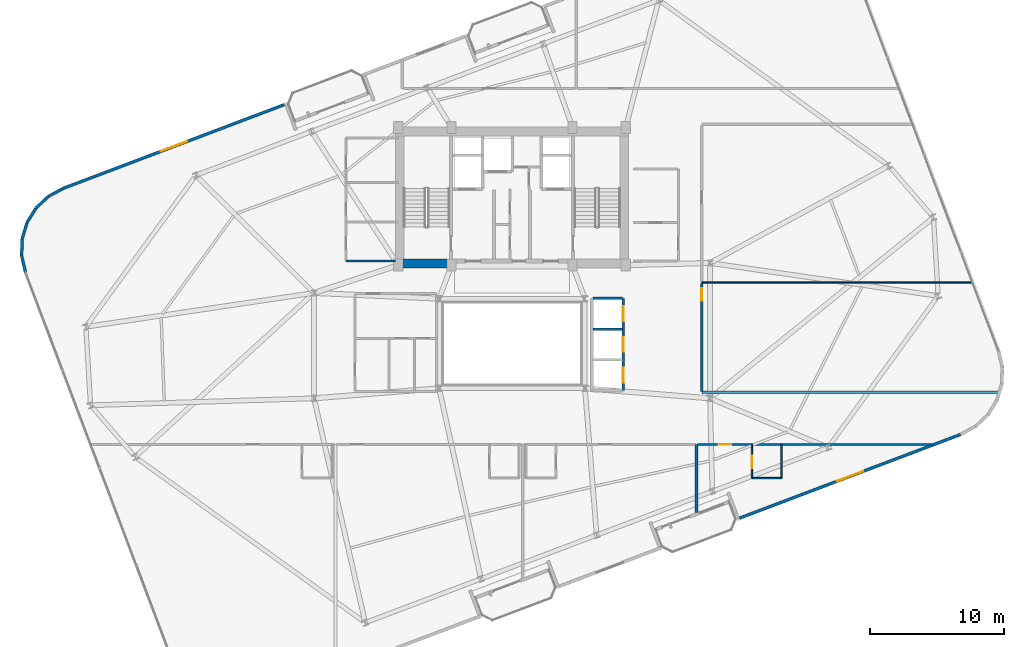
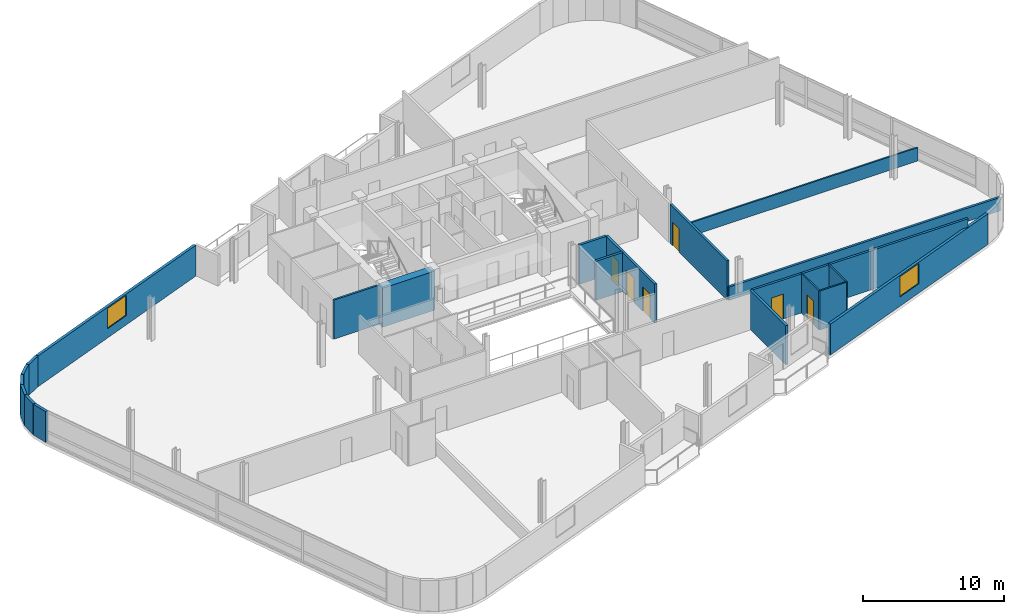
# One storey, part 15 of 19: 21 walls, 6 doors, 2 windows, 8 openings.
"""IFC4 building model written with IfcOpenShell, lengths in metres."""

from ifc_helpers import new_model, si_unit, direction, frame, frame_2d, origin, place, context, subcontext, project, spatial, rectangle, extrude, material, layer, layer_set, type_object, element, fill, save


model = new_model("IFC4")

# Units and contexts
model_context = context("Model", 3, precision=1e-05, world=origin(), true_north=direction((0.0, 1.0)))
body_context = subcontext(model_context, "Body", "Model", "MODEL_VIEW")
ifc_project = project(units=[si_unit("LENGTHUNIT", "METRE"), si_unit("AREAUNIT", "SQUARE_METRE"), si_unit("VOLUMEUNIT", "CUBIC_METRE"), si_unit("PLANEANGLEUNIT", "RADIAN"), si_unit("MASSUNIT", "GRAM", prefix="KILO")], contexts=[model_context])

# Site, building, storey
site_placement = place(None, origin())
site = spatial("IfcSite", under=ifc_project, at=site_placement, CompositionType="ELEMENT")
building_placement = place(site_placement, origin())
building = spatial("IfcBuilding", under=site, at=building_placement, Name="Varnelok Gate Tower", CompositionType="ELEMENT")
storey_placement = place(building_placement, frame((0.0, 0.0, 249.699951171875)))
storey = spatial("IfcBuildingStorey", under=building, at=storey_placement, Name="L64", CompositionType="ELEMENT", Elevation=249.699951171875)

# Wall, opening, window
ifc_material_1 = material(Name="Concrete C45/55", Category="concrete")
ifc_layer_1 = layer(ifc_material_1, 0.219970703125)
ifc_layer_set_1 = layer_set([ifc_layer_1], Name="Concrete C45/55")
wall_type_1 = type_object("IfcWallType", Name="EW-BALC-220", PredefinedType="SOLIDWALL", material=ifc_layer_set_1)
wall_1_placement = place(storey_placement, frame((56.219482421875, 9.844970703125, 0.0), z_axis=(0.0, 0.0, 1.0), x_axis=(0.935225601791, 0.354052360188, 0.0)))
wall_1 = element("IfcWall", 1, at=wall_1_placement, inside=storey, type_object=wall_type_1, Name="L64 Perimeter Facade Closure Wall 13", PredefinedType="SOLIDWALL", context=body_context, shape_type="SweptSolid", body=[
    extrude(rectangle(XDim=17.647216796875, YDim=0.219970703125, at=frame_2d((8.82373046875, 0.0))), origin(), (0.0, 0.0, 1.0), 2.66015625),
])
opening_1_placement = place(wall_1_placement, frame((7.773681640625, 0.0, 0.800048828125)))
opening_1 = element("IfcOpeningElement", 2, at=opening_1_placement, cuts=wall_1, Name="Opening WN4", PredefinedType="OPENING", context=body_context, shape_type="SweptSolid", body=[
    extrude(rectangle(XDim=2.10009765625, YDim=1.75, at=frame_2d((1.050048828125, 0.875))), frame((0.0, 0.119873046875, 0.0), z_axis=(0.0, -1.0, 0.0), x_axis=(1.0, 0.0, 0.0)), (0.0, 0.0, 1.0), 0.239990234375),
])
ifc_material_2 = material(Name="Low-E Laminated Double Glazing IGU", Category="glass")
window_type = type_object("IfcWindowType", Name="WN-SUI-2100", PartitioningType="SINGLE_PANEL", PredefinedType="WINDOW", material=ifc_material_2)
window_1_placement = place(opening_1_placement, origin())
window_1 = element("IfcWindow", 3, at=window_1_placement, inside=storey, type_object=window_type, Name="L64 Perimeter Vision Window 13", OverallHeight=1.75, OverallWidth=2.10009765625, PartitioningType="SINGLE_PANEL", PredefinedType="WINDOW", context=body_context, shape_type="SweptSolid", body=[
    extrude(rectangle(XDim=2.10009765625, YDim=1.75, at=frame_2d((1.050048828125, 0.875))), frame((0.0, 0.030029296875, 0.0), z_axis=(0.0, -1.0, 0.0), x_axis=(1.0, 0.0, 0.0)), (0.0, 0.0, 1.0), 0.06005859375),
])
fill(opening_1, window_1)

wall_2_placement = place(storey_placement, frame((22.180419921875, 40.755126953125, 0.0), z_axis=(0.0, 0.0, 1.0), x_axis=(-0.935223867561, -0.354056941104, 0.0)))
wall_2 = element("IfcWall", 4, at=wall_2_placement, inside=storey, type_object=wall_type_1, Name="L64 Perimeter Facade Closure Wall 32", PredefinedType="SOLIDWALL", context=body_context, shape_type="SweptSolid", body=[
    extrude(rectangle(XDim=17.64697265625, YDim=0.219970703125, at=frame_2d((8.823486328125, 0.0))), origin(), (0.0, 0.0, 1.0), 2.66015625),
])
opening_2_placement = place(wall_2_placement, frame((7.773681640625, 0.0, 0.800048828125)))
opening_2 = element("IfcOpeningElement", 5, at=opening_2_placement, cuts=wall_2, Name="Opening WN4", PredefinedType="OPENING", context=body_context, shape_type="SweptSolid", body=[
    extrude(rectangle(XDim=2.10009765625, YDim=1.75, at=frame_2d((1.050048828125, 0.875))), frame((0.0, 0.119873046875, 0.0), z_axis=(0.0, -1.0, 0.0), x_axis=(1.0, 0.0, 0.0)), (0.0, 0.0, 1.0), 0.239990234375),
])
window_2_placement = place(opening_2_placement, origin())
window_2 = element("IfcWindow", 6, at=window_2_placement, inside=storey, type_object=window_type, Name="L64 Perimeter Vision Window 32", OverallHeight=1.75, OverallWidth=2.10009765625, PartitioningType="SINGLE_PANEL", PredefinedType="WINDOW", context=body_context, shape_type="SweptSolid", body=[
    extrude(rectangle(XDim=2.10009765625, YDim=1.75, at=frame_2d((1.050048828125, 0.875))), frame((0.0, 0.030029296875, 0.0), z_axis=(0.0, -1.0, 0.0), x_axis=(1.0, 0.0, 0.0)), (0.0, 0.0, 1.0), 0.06005859375),
])
fill(opening_2, window_2)

# Walls
wall_3_placement = place(storey_placement, frame((5.654296875, 34.4951171875, 0.0), z_axis=(0.0, 0.0, 1.0), x_axis=(-0.88098842986, -0.473137809155, 0.0)))
element("IfcWall", 7, at=wall_3_placement, inside=storey, type_object=wall_type_1, Name="L64 Perimeter Facade Closure Wall 33", PredefinedType="SOLIDWALL", context=body_context, shape_type="SweptSolid", body=[
    extrude(rectangle(XDim=1.25634765625, YDim=0.219970703125, at=frame_2d((0.628173828125, 0.0))), origin(), (0.0, 0.0, 1.0), 2.66015625),
])
wall_4_placement = place(storey_placement, frame((4.529052734375, 33.883544921875, 0.0), z_axis=(0.0, 0.0, 1.0), x_axis=(-0.728475443486, -0.685071914647, 0.0)))
element("IfcWall", 8, at=wall_4_placement, inside=storey, type_object=wall_type_1, Name="L64 Perimeter Facade Closure Wall 34", PredefinedType="SOLIDWALL", context=body_context, shape_type="SweptSolid", body=[
    extrude(rectangle(XDim=1.248779296875, YDim=0.219970703125, at=frame_2d((0.62451171875, 0.0))), origin(), (0.0, 0.0, 1.0), 2.66015625),
])
wall_5_placement = place(storey_placement, frame((3.606201171875, 33.0068359375, 0.0), z_axis=(0.0, 0.0, 1.0), x_axis=(-0.526408468713, -0.850231806078, 0.0)))
element("IfcWall", 9, at=wall_5_placement, inside=storey, type_object=wall_type_1, Name="L64 Perimeter Facade Closure Wall 35", PredefinedType="SOLIDWALL", context=body_context, shape_type="SweptSolid", body=[
    extrude(rectangle(XDim=1.24853515625, YDim=0.219970703125, at=frame_2d((0.624267578125, 0.0))), origin(), (0.0, 0.0, 1.0), 2.66015625),
])
wall_6_placement = place(storey_placement, frame((2.941650390625, 31.92138671875, 0.0), z_axis=(0.0, 0.0, 1.0), x_axis=(-0.288352095019, -0.957524448408, 0.0)))
element("IfcWall", 10, at=wall_6_placement, inside=storey, type_object=wall_type_1, Name="L64 Perimeter Facade Closure Wall 36", PredefinedType="SOLIDWALL", context=body_context, shape_type="SweptSolid", body=[
    extrude(rectangle(XDim=1.248779296875, YDim=0.219970703125, at=frame_2d((0.62451171875, 0.0))), origin(), (0.0, 0.0, 1.0), 2.66015625),
])
wall_7_placement = place(storey_placement, frame((2.580810546875, 30.70068359375, 0.0), z_axis=(0.0, 0.0, 1.0), x_axis=(-0.030697576053, -0.999528718359, 0.0)))
element("IfcWall", 11, at=wall_7_placement, inside=storey, type_object=wall_type_1, Name="L64 Perimeter Facade Closure Wall 37", PredefinedType="SOLIDWALL", context=body_context, shape_type="SweptSolid", body=[
    extrude(rectangle(XDim=1.24853515625, YDim=0.219970703125, at=frame_2d((0.624267578125, 0.0))), origin(), (0.0, 0.0, 1.0), 2.66015625),
])
wall_8_placement = place(storey_placement, frame((2.548095703125, 29.428466796875, 0.0), z_axis=(0.0, 0.0, 1.0), x_axis=(0.228941257463, -0.973440239887, 0.0)))
element("IfcWall", 12, at=wall_8_placement, inside=storey, type_object=wall_type_1, Name="L64 Perimeter Facade Closure Wall 38", PredefinedType="SOLIDWALL", context=body_context, shape_type="SweptSolid", body=[
    extrude(rectangle(XDim=1.248779296875, YDim=0.219970703125, at=frame_2d((0.62451171875, 0.0))), origin(), (0.0, 0.0, 1.0), 2.66015625),
])

# Wall, opening, door
ifc_material_3 = material(Name="Gypsum Plasterboard Acoustic Partition", Category="gypsum")
ifc_layer_2 = layer(ifc_material_3, 0.179931640625)
ifc_layer_set_2 = layer_set([ifc_layer_2], Name="Gypsum Plasterboard Acoustic Partition")
wall_type_2 = type_object("IfcWallType", Name="PW-CORR-180", PredefinedType="PARTITIONING", material=ifc_layer_set_2)
wall_9_placement = place(storey_placement, frame((53.080078125, 15.35009765625, 0.0), z_axis=(0.0, 0.0, 1.0), x_axis=(1.0, 0.0, 0.0)))
wall_9 = element("IfcWall", 13, at=wall_9_placement, inside=storey, type_object=wall_type_2, Name="Interior Partition", PredefinedType="PARTITIONING", context=body_context, shape_type="SweptSolid", body=[
    extrude(rectangle(XDim=17.624267578125, YDim=0.179931640625, at=frame_2d((8.81201171875, 0.0))), origin(), (0.0, 0.0, 1.0), 3.380126953125),
])
opening_3_placement = place(wall_9_placement, frame((1.56005859375, 0.0, 0.0)))
opening_3 = element("IfcOpeningElement", 14, at=opening_3_placement, cuts=wall_9, Name="Opening D-HT", PredefinedType="OPENING", context=body_context, shape_type="SweptSolid", body=[
    extrude(rectangle(XDim=0.949951171875, YDim=2.14990234375, at=frame_2d((0.47509765625, 1.074951171875))), frame((0.0, 0.099853515625, 0.0), z_axis=(0.0, -1.0, 0.0), x_axis=(1.0, 0.0, 0.0)), (0.0, 0.0, 1.0), 0.199951171875),
])
ifc_material_4 = material(Name="Engineered Hardwood Timber", Category="wood")
door_type_1 = type_object("IfcDoorType", Name="DR-HTL-950", OperationType="NOTDEFINED", PredefinedType="DOOR", material=ifc_material_4)
door_1_placement = place(opening_3_placement, origin())
door_1 = element("IfcDoor", 15, at=door_1_placement, inside=storey, type_object=door_type_1, Name="L64 Guest Room 04 Entrance Door", OperationType="SINGLE_SWING_LEFT", OverallHeight=2.14990234375, OverallWidth=0.949951171875, PredefinedType="DOOR", context=body_context, shape_type="SweptSolid", body=[
    extrude(rectangle(XDim=0.949951171875, YDim=2.14990234375, at=frame_2d((0.47509765625, 1.074951171875))), frame((0.0, 0.02490234375, 0.0), z_axis=(0.0, -1.0, 0.0), x_axis=(1.0, 0.0, 0.0)), (0.0, 0.0, 1.0), 0.050048828125),
])
fill(opening_3, door_1)

wall_10_placement = place(storey_placement, frame((53.389892578125, 19.300048828125, 0.0), z_axis=(0.0, 0.0, 1.0), x_axis=(0.0, 1.0, 0.0)))
wall_10 = element("IfcWall", 16, at=wall_10_placement, inside=storey, type_object=wall_type_2, Name="Interior Partition", PredefinedType="PARTITIONING", context=body_context, shape_type="SweptSolid", body=[
    extrude(rectangle(XDim=8.070068359375, YDim=0.179931640625, at=frame_2d((4.03515625, 0.0))), origin(), (0.0, 0.0, 1.0), 3.380126953125),
])
opening_4_placement = place(wall_10_placement, frame((6.800048828125, 0.0, 0.0)))
opening_4 = element("IfcOpeningElement", 17, at=opening_4_placement, cuts=wall_10, Name="Opening D-I3", PredefinedType="OPENING", context=body_context, shape_type="SweptSolid", body=[
    extrude(rectangle(XDim=0.919921875, YDim=2.050048828125, at=frame_2d((0.4599609375, 1.02490234375))), frame((0.0, 0.099853515625, 0.0), z_axis=(0.0, -1.0, 0.0), x_axis=(1.0, 0.0, 0.0)), (0.0, 0.0, 1.0), 0.199951171875),
])
door_type_2 = type_object("IfcDoorType", Name="DR-INT-920", OperationType="NOTDEFINED", PredefinedType="DOOR", material=ifc_material_4)
door_2_placement = place(opening_4_placement, origin())
door_2 = element("IfcDoor", 18, at=door_2_placement, inside=storey, type_object=door_type_2, Name="L64 East Suite 1 Door", OperationType="SINGLE_SWING_LEFT", OverallHeight=2.050048828125, OverallWidth=0.919921875, PredefinedType="DOOR", context=body_context, shape_type="SweptSolid", body=[
    extrude(rectangle(XDim=0.919921875, YDim=2.050048828125, at=frame_2d((0.4599609375, 1.02490234375))), frame((0.0, 0.02490234375, 0.0), z_axis=(0.0, -1.0, 0.0), x_axis=(1.0, 0.0, 0.0)), (0.0, 0.0, 1.0), 0.050048828125),
])
fill(opening_4, door_2)

# Walls
wall_11_placement = place(storey_placement, frame((53.389892578125, 19.239990234375, 0.0), z_axis=(0.0, 0.0, 1.0), x_axis=(1.0, 0.0, 0.0)))
element("IfcWall", 19, at=wall_11_placement, inside=storey, type_object=wall_type_2, Name="Interior Partition", PredefinedType="PARTITIONING", context=body_context, shape_type="SweptSolid", body=[
    extrude(rectangle(XDim=22.216552734375, YDim=0.179931640625, at=frame_2d((11.1083984375, 0.0))), origin(), (0.0, 0.0, 1.0), 1.1650390625),
])
ifc_layer_3 = layer(ifc_material_3, 0.114990234375)
ifc_layer_set_3 = layer_set([ifc_layer_3], Name="Gypsum Plasterboard Acoustic Partition")
wall_type_3 = type_object("IfcWallType", Name="PW-ENS-125", PredefinedType="PARTITIONING", material=ifc_layer_set_3)
wall_12_placement = place(storey_placement, frame((57.169921875, 12.830078125, 0.0), z_axis=(0.0, 0.0, 1.0), x_axis=(1.0, 0.0, 0.0)))
element("IfcWall", 20, at=wall_12_placement, inside=storey, type_object=wall_type_3, Name="Interior Partition", PredefinedType="PARTITIONING", context=body_context, shape_type="SweptSolid", body=[
    extrude(rectangle(XDim=2.150146484375, YDim=0.114990234375, at=frame_2d((1.0751953125, 0.0))), origin(), (0.0, 0.0, 1.0), 3.380126953125),
])

# Wall, opening, door
wall_13_placement = place(storey_placement, frame((57.1298828125, 12.830078125, 0.0), z_axis=(0.0, 0.0, 1.0), x_axis=(0.0, 1.0, 0.0)))
wall_13 = element("IfcWall", 21, at=wall_13_placement, inside=storey, type_object=wall_type_3, Name="Interior Partition", PredefinedType="PARTITIONING", context=body_context, shape_type="SweptSolid", body=[
    extrude(rectangle(XDim=2.52001953125, YDim=0.114990234375, at=frame_2d((1.260009765625, 0.0))), origin(), (0.0, 0.0, 1.0), 3.380126953125),
])
opening_5_placement = place(wall_13_placement, frame((0.760009765625, 0.0, 0.0)))
opening_5 = element("IfcOpeningElement", 22, at=opening_5_placement, cuts=wall_13, Name="Opening D-WC", PredefinedType="OPENING", context=body_context, shape_type="SweptSolid", body=[
    extrude(rectangle(XDim=0.89990234375, YDim=2.050048828125, at=frame_2d((0.449951171875, 1.02490234375))), frame((0.0, 0.0673828125, 0.0), z_axis=(0.0, -1.0, 0.0), x_axis=(1.0, 0.0, 0.0)), (0.0, 0.0, 1.0), 0.135009765625),
])
door_type_3 = type_object("IfcDoorType", Name="DR-BATH-900", OperationType="NOTDEFINED", PredefinedType="DOOR", material=ifc_material_4)
door_3_placement = place(opening_5_placement, origin())
door_3 = element("IfcDoor", 23, at=door_3_placement, inside=storey, type_object=door_type_3, Name="L64 Guest En-Suite 04 Door", OperationType="SINGLE_SWING_RIGHT", OverallHeight=2.050048828125, OverallWidth=0.89990234375, PredefinedType="DOOR", context=body_context, shape_type="SweptSolid", body=[
    extrude(rectangle(XDim=0.89990234375, YDim=2.050048828125, at=frame_2d((0.449951171875, 1.02490234375))), frame((0.0, 0.02490234375, 0.0), z_axis=(0.0, -1.0, 0.0), x_axis=(1.0, 0.0, 0.0)), (0.0, 0.0, 1.0), 0.050048828125),
])
fill(opening_5, door_3)

# Walls
wall_14_placement = place(storey_placement, frame((59.360107421875, 12.830078125, 0.0), z_axis=(0.0, 0.0, 1.0), x_axis=(0.0, 1.0, 0.0)))
element("IfcWall", 24, at=wall_14_placement, inside=storey, type_object=wall_type_3, Name="Interior Partition", PredefinedType="PARTITIONING", context=body_context, shape_type="SweptSolid", body=[
    extrude(rectangle(XDim=2.52001953125, YDim=0.114990234375, at=frame_2d((1.260009765625, 0.0))), origin(), (0.0, 0.0, 1.0), 3.380126953125),
])
ifc_layer_4 = layer(ifc_material_3, 0.125)
ifc_layer_set_4 = layer_set([ifc_layer_4], Name="Gypsum Plasterboard Acoustic Partition")
wall_type_4 = type_object("IfcWallType", Name="PW-PART-125", PredefinedType="PARTITIONING", material=ifc_layer_set_4)
wall_15_placement = place(storey_placement, frame((53.389892578125, 27.449951171875, 0.0), z_axis=(0.0, 0.0, 1.0), x_axis=(1.0, 0.0, 0.0)))
element("IfcWall", 25, at=wall_15_placement, inside=storey, type_object=wall_type_4, Name="Interior Partition", PredefinedType="PARTITIONING", context=body_context, shape_type="SweptSolid", body=[
    extrude(rectangle(XDim=20.19921875, YDim=0.125, at=frame_2d((10.099609375, 0.0))), origin(), (0.0, 0.0, 1.0), 1.1650390625),
])
ifc_layer_5 = layer(ifc_material_3, 0.14990234375)
ifc_layer_set_5 = layer_set([ifc_layer_5], Name="Gypsum Plasterboard Acoustic Partition")
wall_type_5 = type_object("IfcWallType", Name="PW-PART-150", PredefinedType="PARTITIONING", material=ifc_layer_set_5)
wall_16_placement = place(storey_placement, frame((26.780029296875, 29.080078125, 0.0), z_axis=(0.0, 0.0, 1.0), x_axis=(1.0, 0.0, 0.0)))
element("IfcWall", 26, at=wall_16_placement, inside=storey, type_object=wall_type_5, Name="Interior Partition", PredefinedType="PARTITIONING", context=body_context, shape_type="SweptSolid", body=[
    extrude(rectangle(XDim=3.699951171875, YDim=0.14990234375, at=frame_2d((1.85009765625, 0.0))), origin(), (0.0, 0.0, 1.0), 3.380126953125),
])
ifc_layer_6 = layer(ifc_material_3, 0.205078125)
ifc_layer_set_6 = layer_set([ifc_layer_6], Name="Gypsum Plasterboard Acoustic Partition")
wall_type_6 = type_object("IfcWallType", Name="PW-PARTY-200", PredefinedType="PARTITIONING", material=ifc_layer_set_6)
wall_17_placement = place(storey_placement, frame((53.0, 10.260009765625, 0.0), z_axis=(0.0, 0.0, 1.0), x_axis=(0.0, 1.0, 0.0)))
element("IfcWall", 27, at=wall_17_placement, inside=storey, type_object=wall_type_6, Name="L64 South Party Wall 3", PredefinedType="PARTITIONING", context=body_context, shape_type="SweptSolid", body=[
    extrude(rectangle(XDim=5.090087890625, YDim=0.205078125, at=frame_2d((2.544921875, 0.0))), origin(), (0.0, 0.0, 1.0), 3.380126953125),
])
ifc_material_5 = material(Name="Concrete C35/45", Category="concrete")
ifc_layer_7 = layer(ifc_material_5, 0.199951171875)
ifc_layer_set_7 = layer_set([ifc_layer_7], Name="Concrete C35/45")
wall_type_7 = type_object("IfcWallType", Name="PW-SHAFT-200", PredefinedType="PARTITIONING", material=ifc_layer_set_7)
for number, where, z_axis, x_axis, name in (
    (28, (45.239990234375, 23.97509765625, 0.0), (0.0, 0.0, 1.0), (1.0, 0.0, 0.0), "L64 PH2 Divider"),
    (29, (45.239990234375, 26.280029296875, 0.0), (0.0, 0.0, 1.0), (1.0, 0.0, 0.0), "L64 PH Bank North Wall"),
):
    element("IfcWall", number, at=place(storey_placement, frame(where, z_axis=z_axis, x_axis=x_axis)), inside=storey, type_object=wall_type_7, Name=name, PredefinedType="PARTITIONING", context=body_context, shape_type="SweptSolid", body=[
        extrude(rectangle(XDim=2.219970703125, YDim=0.199951171875, at=frame_2d((1.10986328125, 0.0))), origin(), (0.0, 0.0, 1.0), 3.380126953125),
    ])

# Wall, openings, doors
wall_18_placement = place(storey_placement, frame((47.52001953125, 19.3798828125, 0.0), z_axis=(0.0, 0.0, 1.0), x_axis=(0.0, 1.0, 0.0)))
wall_18 = element("IfcWall", 30, at=wall_18_placement, inside=storey, type_object=wall_type_7, Name="L64 PH Bank Front Wall", PredefinedType="PARTITIONING", context=body_context, shape_type="SweptSolid", body=[
    extrude(rectangle(XDim=6.900146484375, YDim=0.199951171875, at=frame_2d((3.4501953125, 0.0))), origin(), (0.0, 0.0, 1.0), 3.380126953125),
])
opening_6_placement = place(wall_18_placement, frame((0.590087890625, 0.0, 0.0)))
opening_6 = element("IfcOpeningElement", 31, at=opening_6_placement, cuts=wall_18, Name="Opening LD-PH1", PredefinedType="OPENING", context=body_context, shape_type="SweptSolid", body=[
    extrude(rectangle(XDim=1.10009765625, YDim=2.14990234375, at=frame_2d((0.550048828125, 1.074951171875))), frame((0.0, 0.10986328125, 0.0), z_axis=(0.0, -1.0, 0.0), x_axis=(1.0, 0.0, 0.0)), (0.0, 0.0, 1.0), 0.219970703125),
])
opening_7_placement = place(wall_18_placement, frame((2.889892578125, 0.0, 0.0)))
opening_7 = element("IfcOpeningElement", 32, at=opening_7_placement, cuts=wall_18, Name="Opening LD-PH2", PredefinedType="OPENING", context=body_context, shape_type="SweptSolid", body=[
    extrude(rectangle(XDim=1.10009765625, YDim=2.14990234375, at=frame_2d((0.550048828125, 1.074951171875))), frame((0.0, 0.10986328125, 0.0), z_axis=(0.0, -1.0, 0.0), x_axis=(1.0, 0.0, 0.0)), (0.0, 0.0, 1.0), 0.219970703125),
])
opening_8_placement = place(wall_18_placement, frame((5.18994140625, 0.0, 0.0)))
opening_8 = element("IfcOpeningElement", 33, at=opening_8_placement, cuts=wall_18, Name="Opening LD-PH3", PredefinedType="OPENING", context=body_context, shape_type="SweptSolid", body=[
    extrude(rectangle(XDim=1.10009765625, YDim=2.14990234375, at=frame_2d((0.550048828125, 1.074951171875))), frame((0.0, 0.10986328125, 0.0), z_axis=(0.0, -1.0, 0.0), x_axis=(1.0, 0.0, 0.0)), (0.0, 0.0, 1.0), 0.219970703125),
])
ifc_material_6 = material(Name="Galvanized Steel Grade S350GD", Category="steel")
door_type_4 = type_object("IfcDoorType", Name="DR-LIFT-PAX1100", OperationType="SLIDING_TO_LEFT", PredefinedType="DOOR", material=ifc_material_6)
door_4_placement = place(opening_6_placement, origin())
door_4 = element("IfcDoor", 34, at=door_4_placement, inside=storey, type_object=door_type_4, Name="L64 Passenger Lift Landing Door LD-PH1", OperationType="SLIDING_TO_LEFT", OverallHeight=2.14990234375, OverallWidth=1.10009765625, PredefinedType="DOOR", context=body_context, shape_type="SweptSolid", body=[
    extrude(rectangle(XDim=1.10009765625, YDim=2.14990234375, at=frame_2d((0.550048828125, 1.074951171875))), frame((0.0, 0.02490234375, 0.0), z_axis=(0.0, -1.0, 0.0), x_axis=(1.0, 0.0, 0.0)), (0.0, 0.0, 1.0), 0.050048828125),
])
fill(opening_6, door_4)
door_5_placement = place(opening_7_placement, origin())
door_5 = element("IfcDoor", 35, at=door_5_placement, inside=storey, type_object=door_type_4, Name="L64 Passenger Lift Landing Door LD-PH2", OperationType="SLIDING_TO_LEFT", OverallHeight=2.14990234375, OverallWidth=1.10009765625, PredefinedType="DOOR", context=body_context, shape_type="SweptSolid", body=[
    extrude(rectangle(XDim=1.10009765625, YDim=2.14990234375, at=frame_2d((0.550048828125, 1.074951171875))), frame((0.0, 0.02490234375, 0.0), z_axis=(0.0, -1.0, 0.0), x_axis=(1.0, 0.0, 0.0)), (0.0, 0.0, 1.0), 0.050048828125),
])
fill(opening_7, door_5)
door_6_placement = place(opening_8_placement, origin())
door_6 = element("IfcDoor", 36, at=door_6_placement, inside=storey, type_object=door_type_4, Name="L64 Passenger Lift Landing Door LD-PH3", OperationType="SLIDING_TO_LEFT", OverallHeight=2.14990234375, OverallWidth=1.10009765625, PredefinedType="DOOR", context=body_context, shape_type="SweptSolid", body=[
    extrude(rectangle(XDim=1.10009765625, YDim=2.14990234375, at=frame_2d((0.550048828125, 1.074951171875))), frame((0.0, 0.02490234375, 0.0), z_axis=(0.0, -1.0, 0.0), x_axis=(1.0, 0.0, 0.0)), (0.0, 0.0, 1.0), 0.050048828125),
])
fill(opening_8, door_6)

# Wall
ifc_material_7 = material(Name="Concrete C60/75", Category="concrete")
ifc_layer_8 = layer(ifc_material_7, 0.64990234375)
ifc_layer_set_8 = layer_set([ifc_layer_8], Name="Concrete C60/75")
wall_type_8 = type_object("IfcWallType", Name="SW-CORE-650", PredefinedType="SHEAR", material=ifc_layer_set_8)
wall_19_placement = place(storey_placement, frame((30.47998046875, 28.875, 0.0), z_axis=(0.0, 0.0, 1.0), x_axis=(1.0, 0.0, 0.0)))
element("IfcWall", 37, at=wall_19_placement, inside=storey, type_object=wall_type_8, Name="L64 Rear Core South-West Shear Wall", PredefinedType="SHEAR", context=body_context, shape_type="SweptSolid", body=[
    extrude(rectangle(XDim=4.320068359375, YDim=0.64990234375, at=frame_2d((2.16015625, 0.0))), origin(), (0.0, 0.0, 1.0), 3.380126953125),
])

save(model, "model.ifc")
